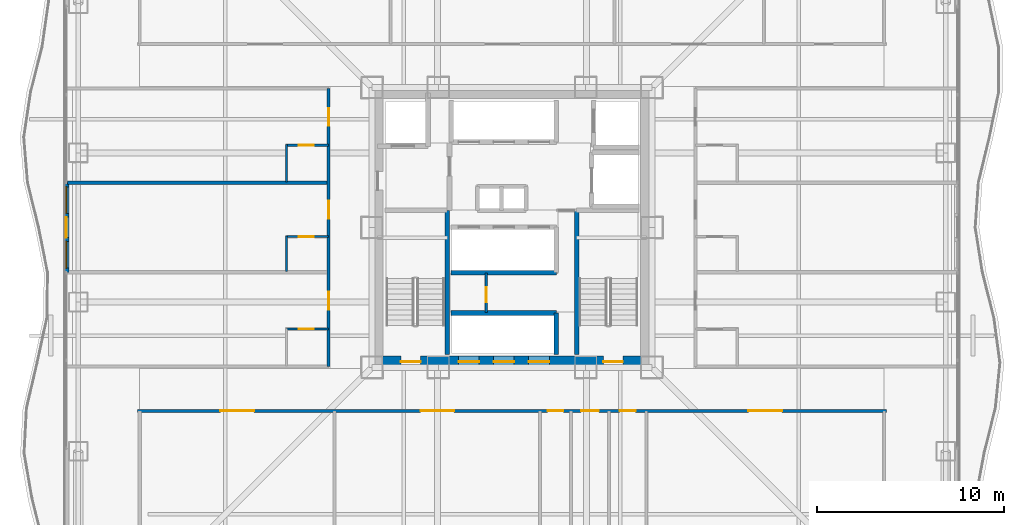
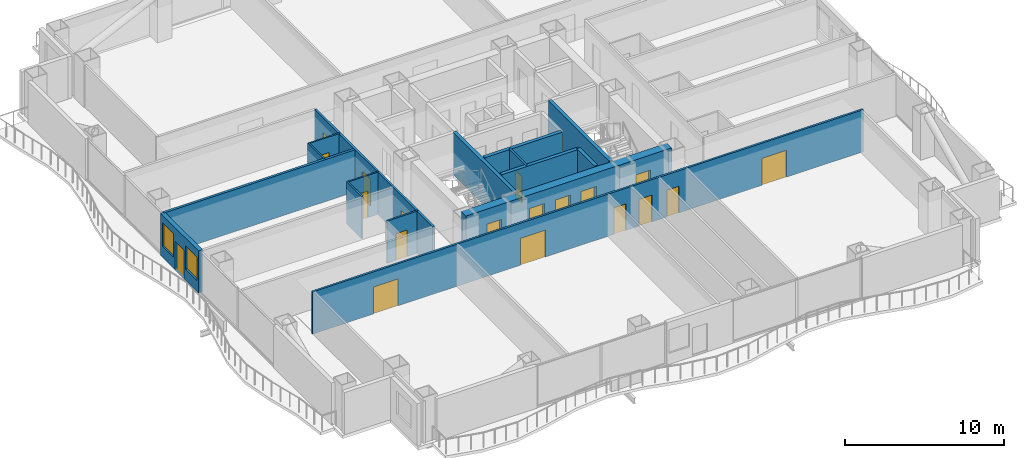
# One storey, part 14 of 24: 19 doors, 16 walls, 2 windows, 21 openings.
"""IFC4 building model written with IfcOpenShell, lengths in metres."""

from ifc_helpers import new_model, si_unit, direction, frame, frame_2d, origin, place, context, subcontext, project, spatial, rectangle, extrude, material, layer, layer_set, type_object, element, fill, save


model = new_model("IFC4")

# Units and contexts
model_context = context("Model", 3, precision=1e-05, world=origin(), true_north=direction((0.0, 1.0)))
body_context = subcontext(model_context, "Body", "Model", "MODEL_VIEW")
ifc_project = project(units=[si_unit("LENGTHUNIT", "METRE"), si_unit("AREAUNIT", "SQUARE_METRE"), si_unit("VOLUMEUNIT", "CUBIC_METRE"), si_unit("PLANEANGLEUNIT", "RADIAN"), si_unit("MASSUNIT", "GRAM", prefix="KILO")], contexts=[model_context])

# Site, building, storey
site_placement = place(None, origin())
site = spatial("IfcSite", under=ifc_project, at=site_placement, CompositionType="ELEMENT")
building_placement = place(site_placement, origin())
building = spatial("IfcBuilding", under=site, at=building_placement, Name="Trevonay Congress Spire", CompositionType="ELEMENT")
storey_placement = place(building_placement, frame((0.0, 0.0, 55.0)))
storey = spatial("IfcBuildingStorey", under=building, at=storey_placement, Name="L13", CompositionType="ELEMENT", Elevation=55.0)

# Wall, opening, door
ifc_material_1 = material(Name="Concrete C40/50", Category="concrete")
ifc_layer_1 = layer(ifc_material_1, 0.1201171875, Name="Concrete C40/50")
ifc_layer_set_1 = layer_set([ifc_layer_1], Name="Concrete C40/50")
wall_type_1 = type_object("IfcWallType", Name="WAL-BATH-120", PredefinedType="PLUMBINGWALL", material=ifc_layer_set_1)
wall_1_placement = place(storey_placement, frame((-12.080078125, -5.44189453125, 0.0), z_axis=(0.0, 0.0, 1.0), x_axis=(1.0, 0.0, 0.0)))
wall_1 = element("IfcWall", 1, at=wall_1_placement, inside=storey, type_object=wall_type_1, Name="L13 interior wall WH-L13W-BS1", PredefinedType="PLUMBINGWALL", context=body_context, shape_type="SweptSolid", body=[
    extrude(rectangle(XDim=2.25, YDim=0.1201171875, at=frame_2d((1.125, 0.0))), origin(), (0.0, 0.0, 1.0), 3.25),
])
opening_1_placement = place(wall_1_placement, frame((0.64990234375, 0.0, 0.0)))
opening_1 = element("IfcOpeningElement", 2, at=opening_1_placement, cuts=wall_1, Name="Opening D11", PredefinedType="OPENING", context=body_context, shape_type="SweptSolid", body=[
    extrude(rectangle(XDim=0.800048828125, YDim=2.050048828125, at=frame_2d((0.39990234375, 1.02490234375))), frame((0.0, 0.070068359375, 0.0), z_axis=(0.0, -1.0, 0.0), x_axis=(1.0, 0.0, 0.0)), (0.0, 0.0, 1.0), 0.14013671875),
])
ifc_material_2 = material(Name="Pale Anodised Aluminium EN AW-6063-T6", Category="aluminium")
door_type_1 = type_object("IfcDoorType", Name="DOR-BATH-80", OperationType="NOTDEFINED", PredefinedType="DOOR", material=ifc_material_2)
door_1_placement = place(opening_1_placement, origin())
door_1 = element("IfcDoor", 3, at=door_1_placement, inside=storey, type_object=door_type_1, Name="L13 En-suite Bathroom Door", OperationType="SINGLE_SWING_RIGHT", OverallHeight=2.050048828125, OverallWidth=0.800048828125, PredefinedType="DOOR", context=body_context, shape_type="SweptSolid", body=[
    extrude(rectangle(XDim=0.800048828125, YDim=2.050048828125, at=frame_2d((0.39990234375, 1.02490234375))), frame((0.0, 0.02490234375, 0.0), z_axis=(0.0, -1.0, 0.0), x_axis=(1.0, 0.0, 0.0)), (0.0, 0.0, 1.0), 0.050048828125),
])
fill(opening_1, door_1)

wall_2_placement = place(storey_placement, frame((-12.080078125, -0.487060546875, 0.0), z_axis=(0.0, 0.0, 1.0), x_axis=(1.0, 0.0, 0.0)))
wall_2 = element("IfcWall", 4, at=wall_2_placement, inside=storey, type_object=wall_type_1, Name="L13 interior wall WH-L13W-BS2", PredefinedType="PLUMBINGWALL", context=body_context, shape_type="SweptSolid", body=[
    extrude(rectangle(XDim=2.25, YDim=0.1201171875, at=frame_2d((1.125, 0.0))), origin(), (0.0, 0.0, 1.0), 3.25),
])
opening_2_placement = place(wall_2_placement, frame((0.64990234375, 0.0, 0.0)))
opening_2 = element("IfcOpeningElement", 5, at=opening_2_placement, cuts=wall_2, Name="Opening D11", PredefinedType="OPENING", context=body_context, shape_type="SweptSolid", body=[
    extrude(rectangle(XDim=0.800048828125, YDim=2.050048828125, at=frame_2d((0.39990234375, 1.02490234375))), frame((0.0, 0.070068359375, 0.0), z_axis=(0.0, -1.0, 0.0), x_axis=(1.0, 0.0, 0.0)), (0.0, 0.0, 1.0), 0.14013671875),
])
door_2_placement = place(opening_2_placement, origin())
door_2 = element("IfcDoor", 6, at=door_2_placement, inside=storey, type_object=door_type_1, Name="L13 En-suite Bathroom Door", OperationType="SINGLE_SWING_LEFT", OverallHeight=2.050048828125, OverallWidth=0.800048828125, PredefinedType="DOOR", context=body_context, shape_type="SweptSolid", body=[
    extrude(rectangle(XDim=0.800048828125, YDim=2.050048828125, at=frame_2d((0.39990234375, 1.02490234375))), frame((0.0, 0.02490234375, 0.0), z_axis=(0.0, -1.0, 0.0), x_axis=(1.0, 0.0, 0.0)), (0.0, 0.0, 1.0), 0.050048828125),
])
fill(opening_2, door_2)

# Wall
wall_3_placement = place(storey_placement, frame((-12.080078125, -2.3701171875, 0.0), z_axis=(0.0, 0.0, 1.0), x_axis=(0.0, 1.0, 0.0)))
element("IfcWall", 7, at=wall_3_placement, inside=storey, type_object=wall_type_1, Name="L13 interior wall WH-L13W-BF2", PredefinedType="PLUMBINGWALL", context=body_context, shape_type="SweptSolid", body=[
    extrude(rectangle(XDim=1.9130859375, YDim=0.1201171875, at=frame_2d((0.95654296875, 0.0))), origin(), (0.0, 0.0, 1.0), 3.25),
])

# Wall, opening, door
wall_4_placement = place(storey_placement, frame((-12.080078125, 4.407958984375, 0.0), z_axis=(0.0, 0.0, 1.0), x_axis=(1.0, 0.0, 0.0)))
wall_4 = element("IfcWall", 8, at=wall_4_placement, inside=storey, type_object=wall_type_1, Name="L13 interior wall WH-L13W-BS3", PredefinedType="PLUMBINGWALL", context=body_context, shape_type="SweptSolid", body=[
    extrude(rectangle(XDim=2.25, YDim=0.1201171875, at=frame_2d((1.125, 0.0))), origin(), (0.0, 0.0, 1.0), 3.25),
])
opening_3_placement = place(wall_4_placement, frame((0.64990234375, 0.0, 0.0)))
opening_3 = element("IfcOpeningElement", 9, at=opening_3_placement, cuts=wall_4, Name="Opening D11", PredefinedType="OPENING", context=body_context, shape_type="SweptSolid", body=[
    extrude(rectangle(XDim=0.800048828125, YDim=2.050048828125, at=frame_2d((0.39990234375, 1.02490234375))), frame((0.0, 0.070068359375, 0.0), z_axis=(0.0, -1.0, 0.0), x_axis=(1.0, 0.0, 0.0)), (0.0, 0.0, 1.0), 0.14013671875),
])
door_3_placement = place(opening_3_placement, origin())
door_3 = element("IfcDoor", 10, at=door_3_placement, inside=storey, type_object=door_type_1, Name="L13 En-suite Bathroom Door", OperationType="SINGLE_SWING_RIGHT", OverallHeight=2.050048828125, OverallWidth=0.800048828125, PredefinedType="DOOR", context=body_context, shape_type="SweptSolid", body=[
    extrude(rectangle(XDim=0.800048828125, YDim=2.050048828125, at=frame_2d((0.39990234375, 1.02490234375))), frame((0.0, 0.02490234375, 0.0), z_axis=(0.0, -1.0, 0.0), x_axis=(1.0, 0.0, 0.0)), (0.0, 0.0, 1.0), 0.050048828125),
])
fill(opening_3, door_3)

# Wall
wall_5_placement = place(storey_placement, frame((-12.080078125, 2.429931640625, 0.0), z_axis=(0.0, 0.0, 1.0), x_axis=(0.0, 1.0, 0.0)))
element("IfcWall", 11, at=wall_5_placement, inside=storey, type_object=wall_type_1, Name="L13 interior wall WH-L13W-BF3", PredefinedType="PLUMBINGWALL", context=body_context, shape_type="SweptSolid", body=[
    extrude(rectangle(XDim=2.008056640625, YDim=0.1201171875, at=frame_2d((1.00390625, 0.0))), origin(), (0.0, 0.0, 1.0), 3.25),
])

# Wall, openings, doors
ifc_material_3 = material(Name="Concrete C60/75", Category="concrete")
ifc_layer_2 = layer(ifc_material_3, 0.60009765625, Name="Concrete C60/75")
ifc_layer_set_2 = layer_set([ifc_layer_2], Name="Concrete C60/75")
wall_type_2 = type_object("IfcWallType", Name="WAL-CORE-600", PredefinedType="SHEAR", material=ifc_layer_set_2)
wall_6_placement = place(storey_placement, frame((-7.5, -7.199951171875, 0.0), z_axis=(0.0, 0.0, 1.0), x_axis=(1.0, 0.0, 0.0)))
wall_6 = element("IfcWall", 12, at=wall_6_placement, inside=storey, type_object=wall_type_2, Name="L13 South structural core shear wall", PredefinedType="SHEAR", context=body_context, shape_type="SweptSolid", body=[
    extrude(rectangle(XDim=15.0, YDim=0.60009765625, at=frame_2d((7.5, 0.0))), origin(), (0.0, 0.0, 1.0), 3.25),
])
opening_4_placement = place(wall_6_placement, frame((1.550048828125, 0.0, 0.0)))
opening_4 = element("IfcOpeningElement", 13, at=opening_4_placement, cuts=wall_6, Name="Opening D05", PredefinedType="OPENING", context=body_context, shape_type="SweptSolid", body=[
    extrude(rectangle(XDim=1.050048828125, YDim=2.080078125, at=frame_2d((0.52490234375, 1.0400390625))), frame((0.0, 0.31005859375, 0.0), z_axis=(0.0, -1.0, 0.0), x_axis=(1.0, 0.0, 0.0)), (0.0, 0.0, 1.0), 0.6201171875),
])
opening_5_placement = place(wall_6_placement, frame((12.39990234375, 0.0, 0.0)))
opening_5 = element("IfcOpeningElement", 14, at=opening_5_placement, cuts=wall_6, Name="Opening D05", PredefinedType="OPENING", context=body_context, shape_type="SweptSolid", body=[
    extrude(rectangle(XDim=1.050048828125, YDim=2.080078125, at=frame_2d((0.52490234375, 1.0400390625))), frame((0.0, 0.31005859375, 0.0), z_axis=(0.0, -1.0, 0.0), x_axis=(1.0, 0.0, 0.0)), (0.0, 0.0, 1.0), 0.6201171875),
])
opening_6_placement = place(wall_6_placement, frame((4.639892578125, 0.0, 0.0)))
opening_6 = element("IfcOpeningElement", 15, at=opening_6_placement, cuts=wall_6, Name="Opening LD01", PredefinedType="OPENING", context=body_context, shape_type="SweptSolid", body=[
    extrude(rectangle(XDim=1.10009765625, YDim=2.199951171875, at=frame_2d((0.550048828125, 1.10009765625))), frame((0.0, 0.31005859375, 0.0), z_axis=(0.0, -1.0, 0.0), x_axis=(1.0, 0.0, 0.0)), (0.0, 0.0, 1.0), 0.6201171875),
])
opening_7_placement = place(wall_6_placement, frame((6.52001953125, 0.0, 0.0)))
opening_7 = element("IfcOpeningElement", 16, at=opening_7_placement, cuts=wall_6, Name="Opening LD01", PredefinedType="OPENING", context=body_context, shape_type="SweptSolid", body=[
    extrude(rectangle(XDim=1.10009765625, YDim=2.199951171875, at=frame_2d((0.550048828125, 1.10009765625))), frame((0.0, 0.31005859375, 0.0), z_axis=(0.0, -1.0, 0.0), x_axis=(1.0, 0.0, 0.0)), (0.0, 0.0, 1.0), 0.6201171875),
])
opening_8_placement = place(wall_6_placement, frame((8.39990234375, 0.0, 0.0)))
opening_8 = element("IfcOpeningElement", 17, at=opening_8_placement, cuts=wall_6, Name="Opening LD01", PredefinedType="OPENING", context=body_context, shape_type="SweptSolid", body=[
    extrude(rectangle(XDim=1.10009765625, YDim=2.199951171875, at=frame_2d((0.550048828125, 1.10009765625))), frame((0.0, 0.31005859375, 0.0), z_axis=(0.0, -1.0, 0.0), x_axis=(1.0, 0.0, 0.0)), (0.0, 0.0, 1.0), 0.6201171875),
])
door_type_2 = type_object("IfcDoorType", Name="DOR-LIFT-LD01", OperationType="DOUBLE_DOOR_SLIDING", PredefinedType="DOOR", material=ifc_material_2)
door_4_placement = place(opening_6_placement, origin())
door_4 = element("IfcDoor", 18, at=door_4_placement, inside=storey, type_object=door_type_2, Name="L13 Passenger lift PL-01 landing door", OperationType="DOUBLE_DOOR_SLIDING", OverallHeight=2.199951171875, OverallWidth=1.10009765625, PredefinedType="DOOR", context=body_context, shape_type="SweptSolid", body=[
    extrude(rectangle(XDim=1.10009765625, YDim=2.199951171875, at=frame_2d((0.550048828125, 1.10009765625))), frame((0.0, 0.02490234375, 0.0), z_axis=(0.0, -1.0, 0.0), x_axis=(1.0, 0.0, 0.0)), (0.0, 0.0, 1.0), 0.050048828125),
])
fill(opening_6, door_4)
door_5_placement = place(opening_7_placement, origin())
door_5 = element("IfcDoor", 19, at=door_5_placement, inside=storey, type_object=door_type_2, Name="L13 Passenger lift PL-02 landing door", OperationType="DOUBLE_DOOR_SLIDING", OverallHeight=2.199951171875, OverallWidth=1.10009765625, PredefinedType="DOOR", context=body_context, shape_type="SweptSolid", body=[
    extrude(rectangle(XDim=1.10009765625, YDim=2.199951171875, at=frame_2d((0.550048828125, 1.10009765625))), frame((0.0, 0.02490234375, 0.0), z_axis=(0.0, -1.0, 0.0), x_axis=(1.0, 0.0, 0.0)), (0.0, 0.0, 1.0), 0.050048828125),
])
fill(opening_7, door_5)
door_6_placement = place(opening_8_placement, origin())
door_6 = element("IfcDoor", 20, at=door_6_placement, inside=storey, type_object=door_type_2, Name="L13 Passenger lift PL-03 landing door", OperationType="DOUBLE_DOOR_SLIDING", OverallHeight=2.199951171875, OverallWidth=1.10009765625, PredefinedType="DOOR", context=body_context, shape_type="SweptSolid", body=[
    extrude(rectangle(XDim=1.10009765625, YDim=2.199951171875, at=frame_2d((0.550048828125, 1.10009765625))), frame((0.0, 0.02490234375, 0.0), z_axis=(0.0, -1.0, 0.0), x_axis=(1.0, 0.0, 0.0)), (0.0, 0.0, 1.0), 0.050048828125),
])
fill(opening_8, door_6)
ifc_material_4 = material(Name="Steel ASTM A572 Grade 50", Category="steel")
door_type_3 = type_object("IfcDoorType", Name="DOR-STAIR-110", OperationType="NOTDEFINED", PredefinedType="DOOR", material=ifc_material_4)
door_7_placement = place(opening_4_placement, origin())
door_7 = element("IfcDoor", 21, at=door_7_placement, inside=storey, type_object=door_type_3, Name="L13 Protected Stair ST-1 Door", OperationType="SINGLE_SWING_RIGHT", OverallHeight=2.080078125, OverallWidth=1.050048828125, PredefinedType="DOOR", context=body_context, shape_type="SweptSolid", body=[
    extrude(rectangle(XDim=1.050048828125, YDim=2.080078125, at=frame_2d((0.52490234375, 1.0400390625))), frame((0.0, 0.02490234375, 0.0), z_axis=(0.0, -1.0, 0.0), x_axis=(1.0, 0.0, 0.0)), (0.0, 0.0, 1.0), 0.050048828125),
])
fill(opening_4, door_7)
door_8_placement = place(opening_5_placement, origin())
door_8 = element("IfcDoor", 22, at=door_8_placement, inside=storey, type_object=door_type_3, Name="L13 Protected Stair ST-2 Door", OperationType="SINGLE_SWING_LEFT", OverallHeight=2.080078125, OverallWidth=1.050048828125, PredefinedType="DOOR", context=body_context, shape_type="SweptSolid", body=[
    extrude(rectangle(XDim=1.050048828125, YDim=2.080078125, at=frame_2d((0.52490234375, 1.0400390625))), frame((0.0, 0.02490234375, 0.0), z_axis=(0.0, -1.0, 0.0), x_axis=(1.0, 0.0, 0.0)), (0.0, 0.0, 1.0), 0.050048828125),
])
fill(opening_5, door_8)

ifc_layer_3 = layer(ifc_material_1, 0.14990234375, Name="Concrete C40/50")
ifc_layer_set_3 = layer_set([ifc_layer_3], Name="Concrete C40/50")
wall_type_3 = type_object("IfcWallType", Name="WAL-CORR-150", PredefinedType="PARTITIONING", material=ifc_layer_set_3)
wall_7_placement = place(storey_placement, frame((-20.070068359375, -9.830078125, 0.0), z_axis=(0.0, 0.0, 1.0), x_axis=(1.0, 0.0, 0.0)))
wall_7 = element("IfcWall", 23, at=wall_7_placement, inside=storey, type_object=wall_type_3, Name="L13 interior wall WP-L13S-COR", PredefinedType="PARTITIONING", context=body_context, shape_type="SweptSolid", body=[
    extrude(rectangle(XDim=40.14013671875, YDim=0.14990234375, at=frame_2d((20.070068359375, 0.0))), origin(), (0.0, 0.0, 1.0), 3.25),
])
opening_9_placement = place(wall_7_placement, frame((4.445068359375, 0.0, 0.0)))
opening_9 = element("IfcOpeningElement", 24, at=opening_9_placement, cuts=wall_7, Name="Opening D09", PredefinedType="OPENING", context=body_context, shape_type="SweptSolid", body=[
    extrude(rectangle(XDim=1.800048828125, YDim=2.080078125, at=frame_2d((0.89990234375, 1.0400390625))), frame((0.0, 0.0849609375, 0.0), z_axis=(0.0, -1.0, 0.0), x_axis=(1.0, 0.0, 0.0)), (0.0, 0.0, 1.0), 0.169921875),
])
opening_10_placement = place(wall_7_placement, frame((15.169921875, 0.0, 0.0)))
opening_10 = element("IfcOpeningElement", 25, at=opening_10_placement, cuts=wall_7, Name="Opening D09", PredefinedType="OPENING", context=body_context, shape_type="SweptSolid", body=[
    extrude(rectangle(XDim=1.800048828125, YDim=2.080078125, at=frame_2d((0.89990234375, 1.0400390625))), frame((0.0, 0.0849609375, 0.0), z_axis=(0.0, -1.0, 0.0), x_axis=(1.0, 0.0, 0.0)), (0.0, 0.0, 1.0), 0.169921875),
])
opening_11_placement = place(wall_7_placement, frame((21.97998046875, 0.0, 0.0)))
opening_11 = element("IfcOpeningElement", 26, at=opening_11_placement, cuts=wall_7, Name="Opening D10", PredefinedType="OPENING", context=body_context, shape_type="SweptSolid", body=[
    extrude(rectangle(XDim=0.85009765625, YDim=2.050048828125, at=frame_2d((0.425048828125, 1.02490234375))), frame((0.0, 0.0849609375, 0.0), z_axis=(0.0, -1.0, 0.0), x_axis=(1.0, 0.0, 0.0)), (0.0, 0.0, 1.0), 0.169921875),
])
opening_12_placement = place(wall_7_placement, frame((23.780029296875, 0.0, 0.0)))
opening_12 = element("IfcOpeningElement", 27, at=opening_12_placement, cuts=wall_7, Name="Opening D07", PredefinedType="OPENING", context=body_context, shape_type="SweptSolid", body=[
    extrude(rectangle(XDim=0.949951171875, YDim=2.06005859375, at=frame_2d((0.47509765625, 1.030029296875))), frame((0.0, 0.0849609375, 0.0), z_axis=(0.0, -1.0, 0.0), x_axis=(1.0, 0.0, 0.0)), (0.0, 0.0, 1.0), 0.169921875),
])
opening_13_placement = place(wall_7_placement, frame((25.844970703125, 0.0, 0.0)))
opening_13 = element("IfcOpeningElement", 28, at=opening_13_placement, cuts=wall_7, Name="Opening D10", PredefinedType="OPENING", context=body_context, shape_type="SweptSolid", body=[
    extrude(rectangle(XDim=0.85009765625, YDim=2.050048828125, at=frame_2d((0.425048828125, 1.02490234375))), frame((0.0, 0.0849609375, 0.0), z_axis=(0.0, -1.0, 0.0), x_axis=(1.0, 0.0, 0.0)), (0.0, 0.0, 1.0), 0.169921875),
])
opening_14_placement = place(wall_7_placement, frame((32.7451171875, 0.0, 0.0)))
opening_14 = element("IfcOpeningElement", 29, at=opening_14_placement, cuts=wall_7, Name="Opening D09", PredefinedType="OPENING", context=body_context, shape_type="SweptSolid", body=[
    extrude(rectangle(XDim=1.800048828125, YDim=2.080078125, at=frame_2d((0.89990234375, 1.0400390625))), frame((0.0, 0.0849609375, 0.0), z_axis=(0.0, -1.0, 0.0), x_axis=(1.0, 0.0, 0.0)), (0.0, 0.0, 1.0), 0.169921875),
])
door_type_4 = type_object("IfcDoorType", Name="DOR-CONF-DBL", OperationType="DOUBLE_DOOR_SINGLE_SWING", PredefinedType="DOOR", material=ifc_material_2)
door_9_placement = place(opening_9_placement, origin())
door_9 = element("IfcDoor", 30, at=door_9_placement, inside=storey, type_object=door_type_4, Name="L13 Thermal Hydrotherapy Spa Lounge Door", OperationType="DOUBLE_DOOR_SINGLE_SWING", OverallHeight=2.080078125, OverallWidth=1.800048828125, PredefinedType="DOOR", context=body_context, shape_type="SweptSolid", body=[
    extrude(rectangle(XDim=1.800048828125, YDim=2.080078125, at=frame_2d((0.89990234375, 1.0400390625))), frame((0.0, 0.02490234375, 0.0), z_axis=(0.0, -1.0, 0.0), x_axis=(1.0, 0.0, 0.0)), (0.0, 0.0, 1.0), 0.050048828125),
])
fill(opening_9, door_9)
door_10_placement = place(opening_10_placement, origin())
door_10 = element("IfcDoor", 31, at=door_10_placement, inside=storey, type_object=door_type_4, Name="L13 Wellness Yoga and Pilates Lounge Door", OperationType="DOUBLE_DOOR_SINGLE_SWING", OverallHeight=2.080078125, OverallWidth=1.800048828125, PredefinedType="DOOR", context=body_context, shape_type="SweptSolid", body=[
    extrude(rectangle(XDim=1.800048828125, YDim=2.080078125, at=frame_2d((0.89990234375, 1.0400390625))), frame((0.0, 0.02490234375, 0.0), z_axis=(0.0, -1.0, 0.0), x_axis=(1.0, 0.0, 0.0)), (0.0, 0.0, 1.0), 0.050048828125),
])
fill(opening_10, door_10)
door_11_placement = place(opening_14_placement, origin())
door_11 = element("IfcDoor", 32, at=door_11_placement, inside=storey, type_object=door_type_4, Name="L13 Poolside Juice Bar Door", OperationType="DOUBLE_DOOR_SINGLE_SWING", OverallHeight=2.080078125, OverallWidth=1.800048828125, PredefinedType="DOOR", context=body_context, shape_type="SweptSolid", body=[
    extrude(rectangle(XDim=1.800048828125, YDim=2.080078125, at=frame_2d((0.89990234375, 1.0400390625))), frame((0.0, 0.02490234375, 0.0), z_axis=(0.0, -1.0, 0.0), x_axis=(1.0, 0.0, 0.0)), (0.0, 0.0, 1.0), 0.050048828125),
])
fill(opening_14, door_11)
door_type_5 = type_object("IfcDoorType", Name="DOR-OFFICE-95", OperationType="NOTDEFINED", PredefinedType="DOOR", material=ifc_material_2)
door_12_placement = place(opening_12_placement, origin())
door_12 = element("IfcDoor", 33, at=door_12_placement, inside=storey, type_object=door_type_5, Name="L13 Floor Supplies and Copy Room Door", OperationType="SINGLE_SWING_LEFT", OverallHeight=2.06005859375, OverallWidth=0.949951171875, PredefinedType="DOOR", context=body_context, shape_type="SweptSolid", body=[
    extrude(rectangle(XDim=0.949951171875, YDim=2.06005859375, at=frame_2d((0.47509765625, 1.030029296875))), frame((0.0, 0.02490234375, 0.0), z_axis=(0.0, -1.0, 0.0), x_axis=(1.0, 0.0, 0.0)), (0.0, 0.0, 1.0), 0.050048828125),
])
fill(opening_12, door_12)
door_type_6 = type_object("IfcDoorType", Name="DOR-WC-85", OperationType="NOTDEFINED", PredefinedType="DOOR", material=ifc_material_2)
door_13_placement = place(opening_11_placement, origin())
door_13 = element("IfcDoor", 34, at=door_13_placement, inside=storey, type_object=door_type_6, Name="L13 Spa Changing Restroom WC Door", OperationType="SINGLE_SWING_RIGHT", OverallHeight=2.050048828125, OverallWidth=0.85009765625, PredefinedType="DOOR", context=body_context, shape_type="SweptSolid", body=[
    extrude(rectangle(XDim=0.85009765625, YDim=2.050048828125, at=frame_2d((0.425048828125, 1.02490234375))), frame((0.0, 0.02490234375, 0.0), z_axis=(0.0, -1.0, 0.0), x_axis=(1.0, 0.0, 0.0)), (0.0, 0.0, 1.0), 0.050048828125),
])
fill(opening_11, door_13)
door_14_placement = place(opening_13_placement, origin())
door_14 = element("IfcDoor", 35, at=door_14_placement, inside=storey, type_object=door_type_6, Name="L13 Accessible WC Door", OperationType="SINGLE_SWING_RIGHT", OverallHeight=2.050048828125, OverallWidth=0.85009765625, PredefinedType="DOOR", context=body_context, shape_type="SweptSolid", body=[
    extrude(rectangle(XDim=0.85009765625, YDim=2.050048828125, at=frame_2d((0.425048828125, 1.02490234375))), frame((0.0, 0.02490234375, 0.0), z_axis=(0.0, -1.0, 0.0), x_axis=(1.0, 0.0, 0.0)), (0.0, 0.0, 1.0), 0.050048828125),
])
fill(opening_13, door_14)

wall_8_placement = place(storey_placement, frame((-9.830078125, -7.449951171875, 0.0), z_axis=(0.0, 0.0, 1.0), x_axis=(0.0, 1.0, 0.0)))
wall_8 = element("IfcWall", 36, at=wall_8_placement, inside=storey, type_object=wall_type_3, Name="L13 interior wall WH-L13W-COR", PredefinedType="PARTITIONING", context=body_context, shape_type="SweptSolid", body=[
    extrude(rectangle(XDim=14.89990234375, YDim=0.14990234375, at=frame_2d((7.449951171875, 0.0))), origin(), (0.0, 0.0, 1.0), 3.25),
])
opening_15_placement = place(wall_8_placement, frame((3.049072265625, 0.0, 0.0)))
opening_15 = element("IfcOpeningElement", 37, at=opening_15_placement, cuts=wall_8, Name="Opening D08", PredefinedType="OPENING", context=body_context, shape_type="SweptSolid", body=[
    extrude(rectangle(XDim=0.949951171875, YDim=2.080078125, at=frame_2d((0.47509765625, 1.0400390625))), frame((0.0, 0.0849609375, 0.0), z_axis=(0.0, -1.0, 0.0), x_axis=(1.0, 0.0, 0.0)), (0.0, 0.0, 1.0), 0.169921875),
])
opening_16_placement = place(wall_8_placement, frame((7.926513671875, 0.0, 0.0)))
opening_16 = element("IfcOpeningElement", 38, at=opening_16_placement, cuts=wall_8, Name="Opening D08", PredefinedType="OPENING", context=body_context, shape_type="SweptSolid", body=[
    extrude(rectangle(XDim=0.949951171875, YDim=2.080078125, at=frame_2d((0.47509765625, 1.0400390625))), frame((0.0, 0.0849609375, 0.0), z_axis=(0.0, -1.0, 0.0), x_axis=(1.0, 0.0, 0.0)), (0.0, 0.0, 1.0), 0.169921875),
])
opening_17_placement = place(wall_8_placement, frame((12.89892578125, 0.0, 0.0)))
opening_17 = element("IfcOpeningElement", 39, at=opening_17_placement, cuts=wall_8, Name="Opening D08", PredefinedType="OPENING", context=body_context, shape_type="SweptSolid", body=[
    extrude(rectangle(XDim=0.949951171875, YDim=2.080078125, at=frame_2d((0.47509765625, 1.0400390625))), frame((0.0, 0.0849609375, 0.0), z_axis=(0.0, -1.0, 0.0), x_axis=(1.0, 0.0, 0.0)), (0.0, 0.0, 1.0), 0.169921875),
])
door_type_7 = type_object("IfcDoorType", Name="DOR-SUITE-95", OperationType="NOTDEFINED", PredefinedType="DOOR", material=ifc_material_2)
door_15_placement = place(opening_15_placement, origin())
door_15 = element("IfcDoor", 40, at=door_15_placement, inside=storey, type_object=door_type_7, Name="L13 Corner Hotel Suite Entrance Door", OperationType="SINGLE_SWING_LEFT", OverallHeight=2.080078125, OverallWidth=0.949951171875, PredefinedType="DOOR", context=body_context, shape_type="SweptSolid", body=[
    extrude(rectangle(XDim=0.949951171875, YDim=2.080078125, at=frame_2d((0.47509765625, 1.0400390625))), frame((0.0, 0.02490234375, 0.0), z_axis=(0.0, -1.0, 0.0), x_axis=(1.0, 0.0, 0.0)), (0.0, 0.0, 1.0), 0.050048828125),
])
fill(opening_15, door_15)
door_16_placement = place(opening_16_placement, origin())
door_16 = element("IfcDoor", 41, at=door_16_placement, inside=storey, type_object=door_type_7, Name="L13 Corner Hotel Suite Entrance Door", OperationType="SINGLE_SWING_RIGHT", OverallHeight=2.080078125, OverallWidth=0.949951171875, PredefinedType="DOOR", context=body_context, shape_type="SweptSolid", body=[
    extrude(rectangle(XDim=0.949951171875, YDim=2.080078125, at=frame_2d((0.47509765625, 1.0400390625))), frame((0.0, 0.02490234375, 0.0), z_axis=(0.0, -1.0, 0.0), x_axis=(1.0, 0.0, 0.0)), (0.0, 0.0, 1.0), 0.050048828125),
])
fill(opening_16, door_16)
door_17_placement = place(opening_17_placement, origin())
door_17 = element("IfcDoor", 42, at=door_17_placement, inside=storey, type_object=door_type_7, Name="L13 Corner Hotel Suite Entrance Door", OperationType="SINGLE_SWING_LEFT", OverallHeight=2.080078125, OverallWidth=0.949951171875, PredefinedType="DOOR", context=body_context, shape_type="SweptSolid", body=[
    extrude(rectangle(XDim=0.949951171875, YDim=2.080078125, at=frame_2d((0.47509765625, 1.0400390625))), frame((0.0, 0.02490234375, 0.0), z_axis=(0.0, -1.0, 0.0), x_axis=(1.0, 0.0, 0.0)), (0.0, 0.0, 1.0), 0.050048828125),
])
fill(opening_17, door_17)

# Wall, openings, door, windows
ifc_material_5 = material(Name="Precast concrete C40/50", Category="concrete")
ifc_layer_4 = layer(ifc_material_5, 0.300048828125, Name="Precast concrete C40/50")
ifc_layer_set_4 = layer_set([ifc_layer_4], Name="Precast concrete C40/50")
wall_type_4 = type_object("IfcWallType", Name="WAL-EXT-PRECAST-300", PredefinedType="SOLIDWALL", material=ifc_layer_set_4)
wall_9_placement = place(storey_placement, frame((-23.8798828125, -2.39990234375, 0.0), z_axis=(0.0, 0.0, 1.0), x_axis=(0.0, 1.0, 0.0)))
wall_9 = element("IfcWall", 43, at=wall_9_placement, inside=storey, type_object=wall_type_4, Name="L13 W glazed balcony portal exterior wall", PredefinedType="SOLIDWALL", context=body_context, shape_type="SweptSolid", body=[
    extrude(rectangle(XDim=4.7998046875, YDim=0.300048828125, at=frame_2d((2.39990234375, 0.0))), origin(), (0.0, 0.0, 1.0), 3.25),
])
opening_18_placement = place(wall_9_placement, frame((1.85009765625, 0.0, 0.0)))
opening_18 = element("IfcOpeningElement", 44, at=opening_18_placement, cuts=wall_9, Name="Opening D03", PredefinedType="OPENING", context=body_context, shape_type="SweptSolid", body=[
    extrude(rectangle(XDim=1.10009765625, YDim=2.199951171875, at=frame_2d((0.550048828125, 1.10009765625))), frame((0.0, 0.16015625, 0.0), z_axis=(0.0, -1.0, 0.0), x_axis=(1.0, 0.0, 0.0)), (0.0, 0.0, 1.0), 0.320068359375),
])
opening_19_placement = place(wall_9_placement, frame((0.219970703125, 0.0, 0.85009765625)))
opening_19 = element("IfcOpeningElement", 45, at=opening_19_placement, cuts=wall_9, Name="Opening WN06", PredefinedType="OPENING", context=body_context, shape_type="SweptSolid", body=[
    extrude(rectangle(XDim=1.429931640625, YDim=1.800048828125, at=frame_2d((0.71484375, 0.89990234375))), frame((0.0, 0.16015625, 0.0), z_axis=(0.0, -1.0, 0.0), x_axis=(1.0, 0.0, 0.0)), (0.0, 0.0, 1.0), 0.320068359375),
])
opening_20_placement = place(wall_9_placement, frame((3.14990234375, 0.0, 0.85009765625)))
opening_20 = element("IfcOpeningElement", 46, at=opening_20_placement, cuts=wall_9, Name="Opening WN06", PredefinedType="OPENING", context=body_context, shape_type="SweptSolid", body=[
    extrude(rectangle(XDim=1.429931640625, YDim=1.800048828125, at=frame_2d((0.71484375, 0.89990234375))), frame((0.0, 0.16015625, 0.0), z_axis=(0.0, -1.0, 0.0), x_axis=(1.0, 0.0, 0.0)), (0.0, 0.0, 1.0), 0.320068359375),
])
door_type_8 = type_object("IfcDoorType", Name="DOR-EXT-BAL-110", OperationType="NOTDEFINED", PredefinedType="DOOR", material=ifc_material_2)
door_18_placement = place(opening_18_placement, origin())
door_18 = element("IfcDoor", 47, at=door_18_placement, inside=storey, type_object=door_type_8, Name="L13 W glazed outdoor terrace and balcony door", OperationType="SINGLE_SWING_LEFT", OverallHeight=2.199951171875, OverallWidth=1.10009765625, PredefinedType="DOOR", context=body_context, shape_type="SweptSolid", body=[
    extrude(rectangle(XDim=1.10009765625, YDim=2.199951171875, at=frame_2d((0.550048828125, 1.10009765625))), frame((0.0, 0.02490234375, 0.0), z_axis=(0.0, -1.0, 0.0), x_axis=(1.0, 0.0, 0.0)), (0.0, 0.0, 1.0), 0.050048828125),
])
fill(opening_18, door_18)
ifc_material_6 = material(Name="Insulated Low-E Vision Glass IGU", Category="glass")
window_type = type_object("IfcWindowType", Name="WIN-SIDELIGHT-143X180", PartitioningType="SINGLE_PANEL", PredefinedType="WINDOW", material=ifc_material_6)
window_1_placement = place(opening_19_placement, origin())
window_1 = element("IfcWindow", 48, at=window_1_placement, inside=storey, type_object=window_type, Name="L13 W balcony sidelight window L", OverallHeight=1.800048828125, OverallWidth=1.429931640625, PartitioningType="SINGLE_PANEL", PredefinedType="WINDOW", context=body_context, shape_type="SweptSolid", body=[
    extrude(rectangle(XDim=1.429931640625, YDim=1.800048828125, at=frame_2d((0.71484375, 0.89990234375))), frame((0.0, 0.030029296875, 0.0), z_axis=(0.0, -1.0, 0.0), x_axis=(1.0, 0.0, 0.0)), (0.0, 0.0, 1.0), 0.06005859375),
])
fill(opening_19, window_1)
window_2_placement = place(opening_20_placement, origin())
window_2 = element("IfcWindow", 49, at=window_2_placement, inside=storey, type_object=window_type, Name="L13 W balcony sidelight window R", OverallHeight=1.800048828125, OverallWidth=1.429931640625, PartitioningType="SINGLE_PANEL", PredefinedType="WINDOW", context=body_context, shape_type="SweptSolid", body=[
    extrude(rectangle(XDim=1.429931640625, YDim=1.800048828125, at=frame_2d((0.71484375, 0.89990234375))), frame((0.0, 0.030029296875, 0.0), z_axis=(0.0, -1.0, 0.0), x_axis=(1.0, 0.0, 0.0)), (0.0, 0.0, 1.0), 0.06005859375),
])
fill(opening_20, window_2)

# Wall
ifc_layer_5 = layer(ifc_material_1, 0.179931640625, Name="Concrete C40/50")
ifc_layer_set_5 = layer_set([ifc_layer_5], Name="Concrete C40/50")
wall_type_5 = type_object("IfcWallType", Name="WAL-HOTEL-180", PredefinedType="PARTITIONING", material=ifc_layer_set_5)
wall_10_placement = place(storey_placement, frame((-23.820068359375, 2.39990234375, 0.0), z_axis=(0.0, 0.0, 1.0), x_axis=(1.0, 0.0, 0.0)))
element("IfcWall", 50, at=wall_10_placement, inside=storey, type_object=wall_type_5, Name="L13 interior wall WH-L13W-DIV3", PredefinedType="PARTITIONING", context=body_context, shape_type="SweptSolid", body=[
    extrude(rectangle(XDim=13.989990234375, YDim=0.179931640625, at=frame_2d((6.9951171875, 0.0))), origin(), (0.0, 0.0, 1.0), 3.25),
])

# Wall, opening, door
ifc_layer_6 = layer(ifc_material_1, 0.14990234375, Name="Concrete C40/50")
ifc_layer_set_6 = layer_set([ifc_layer_6], Name="Concrete C40/50")
wall_type_6 = type_object("IfcWallType", Name="WAL-PART-150", PredefinedType="PARTITIONING", material=ifc_layer_set_6)
wall_11_placement = place(storey_placement, frame((-1.3798828125, -4.570068359375, 0.0), z_axis=(0.0, 0.0, 1.0), x_axis=(0.0, 1.0, 0.0)))
wall_11 = element("IfcWall", 51, at=wall_11_placement, inside=storey, type_object=wall_type_6, Name="L13 interior wall CW-K2-L13", PredefinedType="PARTITIONING", context=body_context, shape_type="SweptSolid", body=[
    extrude(rectangle(XDim=2.14013671875, YDim=0.14990234375, at=frame_2d((1.070068359375, 0.0))), origin(), (0.0, 0.0, 1.0), 3.25),
])
opening_21_placement = place(wall_11_placement, frame((0.550048828125, 0.0, 0.0)))
opening_21 = element("IfcOpeningElement", 52, at=opening_21_placement, cuts=wall_11, Name="Opening D13", PredefinedType="OPENING", context=body_context, shape_type="SweptSolid", body=[
    extrude(rectangle(XDim=0.820068359375, YDim=2.050048828125, at=frame_2d((0.41015625, 1.02490234375))), frame((0.0, 0.0849609375, 0.0), z_axis=(0.0, -1.0, 0.0), x_axis=(1.0, 0.0, 0.0)), (0.0, 0.0, 1.0), 0.169921875),
])
door_type_9 = type_object("IfcDoorType", Name="DOR-UTIL-80", OperationType="NOTDEFINED", PredefinedType="DOOR", material=ifc_material_4)
door_19_placement = place(opening_21_placement, origin())
door_19 = element("IfcDoor", 53, at=door_19_placement, inside=storey, type_object=door_type_9, Name="L13 Core Valve Room Door", OperationType="SINGLE_SWING_LEFT", OverallHeight=2.050048828125, OverallWidth=0.820068359375, PredefinedType="DOOR", context=body_context, shape_type="SweptSolid", body=[
    extrude(rectangle(XDim=0.820068359375, YDim=2.050048828125, at=frame_2d((0.41015625, 1.02490234375))), frame((0.0, 0.02490234375, 0.0), z_axis=(0.0, -1.0, 0.0), x_axis=(1.0, 0.0, 0.0)), (0.0, 0.0, 1.0), 0.050048828125),
])
fill(opening_21, door_19)

# Walls
ifc_layer_7 = layer(ifc_material_1, 0.25, Name="Concrete C40/50")
ifc_layer_set_7 = layer_set([ifc_layer_7], Name="Concrete C40/50")
wall_type_7 = type_object("IfcWallType", Name="WAL-SHAFT-250", PredefinedType="SHEAR", material=ifc_layer_set_7)
wall_12_placement = place(storey_placement, frame((-3.260009765625, -4.580078125, 0.0), z_axis=(0.0, 0.0, 1.0), x_axis=(1.0, 0.0, 0.0)))
element("IfcWall", 54, at=wall_12_placement, inside=storey, type_object=wall_type_7, Name="L13 interior shaft wall WSH-L13-B1-N", PredefinedType="SHEAR", context=body_context, shape_type="SweptSolid", body=[
    extrude(rectangle(XDim=5.639892578125, YDim=0.25, at=frame_2d((2.81982421875, 0.0))), origin(), (0.0, 0.0, 1.0), 3.25),
])
wall_13_placement = place(storey_placement, frame((2.3798828125, -6.800048828125, 0.0), z_axis=(0.0, 0.0, 1.0), x_axis=(0.0, 1.0, 0.0)))
element("IfcWall", 55, at=wall_13_placement, inside=storey, type_object=wall_type_7, Name="L13 interior shaft wall WSH-L13-B1-E", PredefinedType="SHEAR", context=body_context, shape_type="SweptSolid", body=[
    extrude(rectangle(XDim=2.219970703125, YDim=0.25, at=frame_2d((1.10986328125, 0.0))), origin(), (0.0, 0.0, 1.0), 3.25),
])
wall_14_placement = place(storey_placement, frame((-3.260009765625, -2.419921875, 0.0), z_axis=(0.0, 0.0, 1.0), x_axis=(1.0, 0.0, 0.0)))
element("IfcWall", 56, at=wall_14_placement, inside=storey, type_object=wall_type_7, Name="L13 interior shaft wall WSH-L13-B2-S", PredefinedType="SHEAR", context=body_context, shape_type="SweptSolid", body=[
    extrude(rectangle(XDim=5.639892578125, YDim=0.25, at=frame_2d((2.81982421875, 0.0))), origin(), (0.0, 0.0, 1.0), 3.25),
])
ifc_layer_8 = layer(ifc_material_1, 0.25, Name="Concrete C40/50")
ifc_layer_set_8 = layer_set([ifc_layer_8], Name="Concrete C40/50")
wall_type_8 = type_object("IfcWallType", Name="WAL-SHAFT-LB-250", PredefinedType="SHEAR", material=ifc_layer_set_8)
for number, where, z_axis, x_axis, name in (
    (57, (-3.469970703125, -6.800048828125, 0.0), (0.0, 0.0, 1.0), (0.0, 1.0, 0.0), "L13 interior shaft wall WSH-L13-ST1-E"),
    (58, (3.469970703125, -6.800048828125, 0.0), (0.0, 0.0, 1.0), (0.0, 1.0, 0.0), "L13 interior shaft wall WSH-L13-ST2-W"),
):
    element("IfcWall", number, at=place(storey_placement, frame(where, z_axis=z_axis, x_axis=x_axis)), inside=storey, type_object=wall_type_8, Name=name, PredefinedType="SHEAR", context=body_context, shape_type="SweptSolid", body=[
        extrude(rectangle(XDim=7.719970703125, YDim=0.25, at=frame_2d((3.85986328125, 0.0))), origin(), (0.0, 0.0, 1.0), 3.25),
    ])

save(model, "model.ifc")
